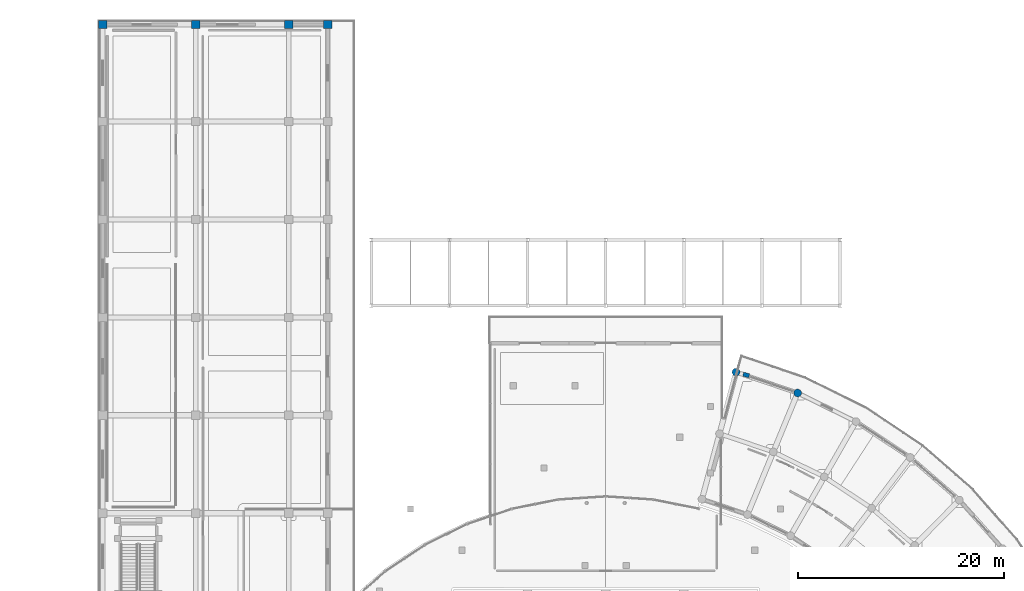
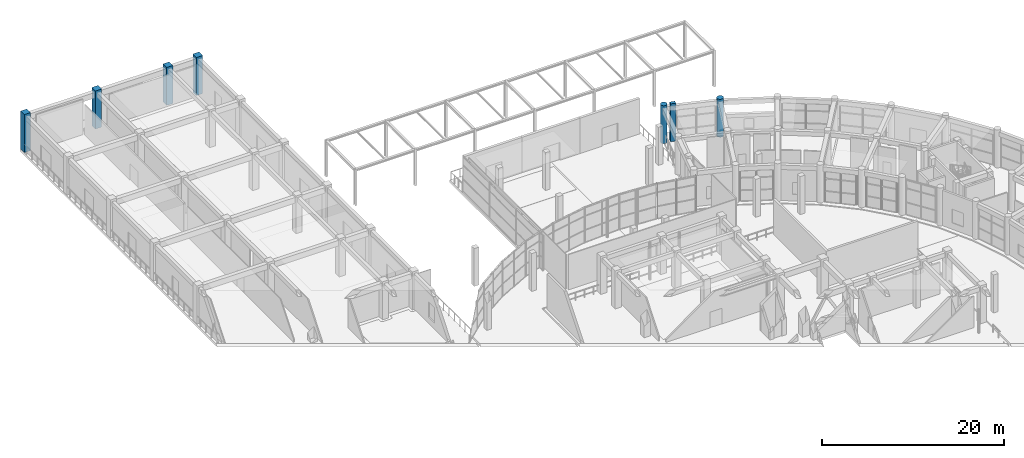
# One storey, part 17 of 99: 7 columns.
"""IFC4 building model written with IfcOpenShell, lengths in metres."""

from ifc_helpers import new_model, si_unit, direction, frame, origin, origin_2d, place, context, subcontext, project, spatial, rectangle, circle, extrude, material, material_profile, profile_set, type_object, element, save


model = new_model("IFC4")

# Units and contexts
model_context = context("Model", 3, precision=1e-05, world=origin(), true_north=direction((0.0, 1.0)))
body_context = subcontext(model_context, "Body", "Model", "MODEL_VIEW")
ifc_project = project(units=[si_unit("LENGTHUNIT", "METRE"), si_unit("AREAUNIT", "SQUARE_METRE"), si_unit("VOLUMEUNIT", "CUBIC_METRE"), si_unit("PLANEANGLEUNIT", "RADIAN"), si_unit("MASSUNIT", "GRAM", prefix="KILO")], contexts=[model_context])

# Site, building, storey
site_placement = place(None, origin())
site = spatial("IfcSite", under=ifc_project, at=site_placement, CompositionType="ELEMENT")
building_placement = place(site_placement, origin())
building = spatial("IfcBuilding", under=site, at=building_placement, Name="Saryqyr Civic Hall", CompositionType="ELEMENT")
storey_placement = place(building_placement, origin())
storey = spatial("IfcBuildingStorey", under=building, at=storey_placement, Name="L00", CompositionType="ELEMENT", Elevation=0.0)

# Columns
ifc_material = material(Name="Concrete C40/50", Category="concrete")
ifc_material_profile_1 = material_profile(ifc_material, rectangle(XDim=0.800048828125, YDim=0.800048828125, at=origin_2d()), Name="RC 800x800")
ifc_profile_set_1 = profile_set([ifc_material_profile_1], Name="Concrete C40/50")
column_type_1 = type_object("IfcColumnType", Name="STR-COL-RC800-C40", PredefinedType="COLUMN", material=ifc_profile_set_1)
for number, where, z_axis, x_axis, name in (
    (1, (8.050048828125, 165.14990234375, 0.0), (0.0, 0.0, 1.0), (1.0, 0.0, 0.0), "Column V3-COL-18-L00"),
    (2, (17.10009765625, 165.14990234375, 0.0), (0.0, 0.0, 1.0), (1.0, 0.0, 0.0), "Column V3-COL-28-L00"),
    (3, (26.14990234375, 165.14990234375, 0.0), (0.0, 0.0, 1.0), (1.0, 0.0, 0.0), "Column V3-COL-38-L00"),
    (4, (29.949951171875, 165.14990234375, 0.0), (0.0, 0.0, 1.0), (1.0, 0.0, 0.0), "Column V3-COL-48-L00"),
):
    element("IfcColumn", number, at=place(storey_placement, frame(where, z_axis=z_axis, x_axis=x_axis)), inside=storey, type_object=column_type_1, Name=name, PredefinedType="COLUMN", context=body_context, shape_type="SweptSolid", body=[
        extrude(rectangle(XDim=0.800048828125, YDim=0.800048828125, at=origin_2d()), origin(), (0.0, 0.0, 1.0), 5.10009765625),
    ])
ifc_material_profile_2 = material_profile(ifc_material, circle(Radius=0.375, at=origin_2d()), Name="RC D750")
ifc_profile_set_2 = profile_set([ifc_material_profile_2], Name="Concrete C40/50")
column_type_2 = type_object("IfcColumnType", Name="STR-COL-RCD750-EXT", PredefinedType="COLUMN", material=ifc_profile_set_2)
for number, where, z_axis, x_axis, name in (
    (5, (75.676513671875, 129.301025390625, 0.0), (0.0, 0.0, 1.0), (0.381231734269, 0.924479510204, 0.0), "Column V6-COL-OUT09-L00"),
    (6, (69.68212890625, 131.330322265625, 0.0), (0.0, 0.0, 1.0), (0.258819045103, 0.965925826289, 0.0), "Column V6-COL-OUT10-L00"),
):
    element("IfcColumn", number, at=place(storey_placement, frame(where, z_axis=z_axis, x_axis=x_axis)), inside=storey, type_object=column_type_2, Name=name, PredefinedType="COLUMN", context=body_context, shape_type="SweptSolid", body=[
        extrude(circle(Radius=0.375, at=origin_2d()), origin(), (0.0, 0.0, 1.0), 5.10009765625),
    ])
ifc_material_profile_3 = material_profile(ifc_material, rectangle(XDim=0.39990234375, YDim=0.60009765625, at=origin_2d()), Name="RC 400x600")
ifc_profile_set_3 = profile_set([ifc_material_profile_3], Name="Concrete C40/50")
column_type_3 = type_object("IfcColumnType", Name="STR-PIL-RC400x600-EXT", PredefinedType="PILASTER", material=ifc_profile_set_3)
column_placement = place(storey_placement, frame((70.670654296875, 131.054443359375, 0.0), z_axis=(0.0, 0.0, 1.0), x_axis=(0.258819045103, 0.965925826289, 0.0)))
element("IfcColumn", 7, at=column_placement, inside=storey, type_object=column_type_3, Name="Column V6-PIL-10-L00", PredefinedType="PILASTER", context=body_context, shape_type="SweptSolid", body=[
    extrude(rectangle(XDim=0.39990234375, YDim=0.60009765625, at=origin_2d()), origin(), (0.0, 0.0, 1.0), 5.10009765625),
])

save(model, "model.ifc")
